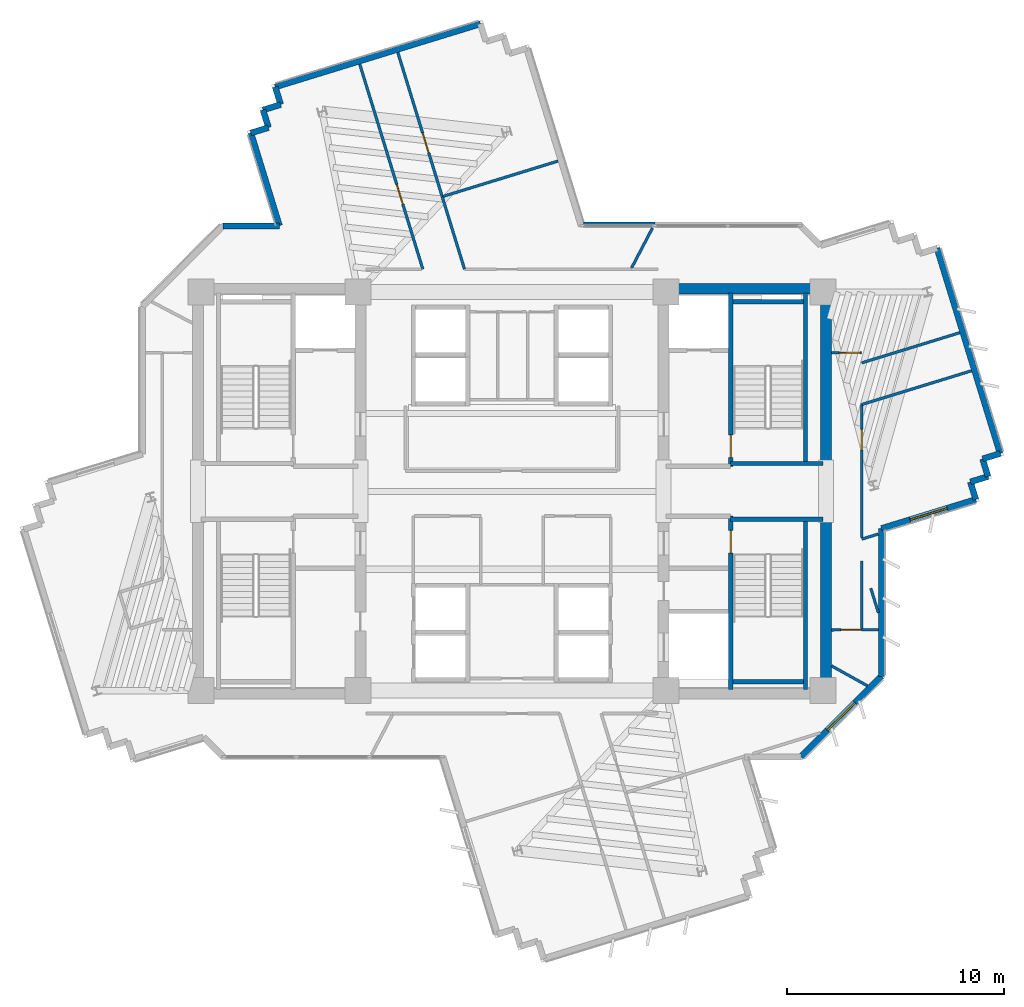
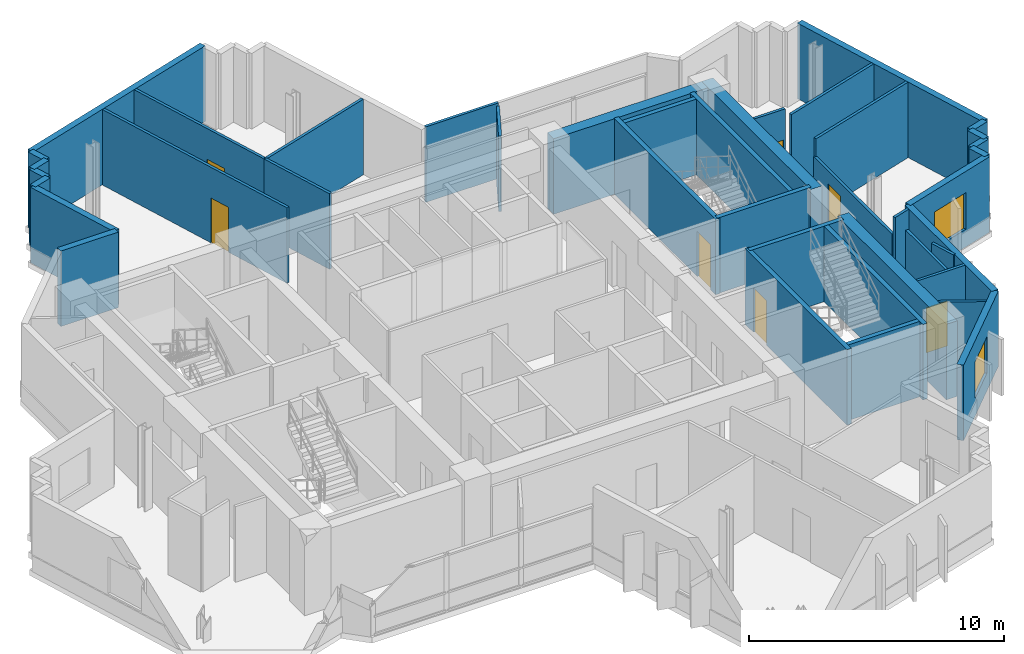
# One storey, part 8 of 13: 41 walls, 7 doors, 2 windows, 9 openings.
"""IFC4 building model written with IfcOpenShell, lengths in metres."""

from ifc_helpers import new_model, si_unit, direction, frame, frame_2d, origin, place, context, subcontext, project, spatial, rectangle, extrude, source, transform, mapped, material, layer, layer_set, type_object, element, fill, save


model = new_model("IFC4")

# Units and contexts
model_context = context("Model", 3, precision=1e-05, world=origin(), true_north=direction((0.0, 1.0)))
body_context = subcontext(model_context, "Body", "Model", "MODEL_VIEW")
ifc_project = project(units=[si_unit("LENGTHUNIT", "METRE"), si_unit("AREAUNIT", "SQUARE_METRE"), si_unit("VOLUMEUNIT", "CUBIC_METRE"), si_unit("PLANEANGLEUNIT", "RADIAN"), si_unit("MASSUNIT", "GRAM", prefix="KILO")], contexts=[model_context])

# Site, building, storey
site_placement = place(None, origin())
site = spatial("IfcSite", under=ifc_project, at=site_placement, CompositionType="ELEMENT")
building_placement = place(site_placement, origin())
building = spatial("IfcBuilding", under=site, at=building_placement, Name="Zahravan Cultural Tower", CompositionType="ELEMENT")
storey_placement = place(building_placement, frame((0.0, 0.0, 213.60009765625)))
storey = spatial("IfcBuildingStorey", under=building, at=storey_placement, Name="L50", CompositionType="ELEMENT", Elevation=213.60009765625)

# Wall, opening, window
ifc_material_1 = material(Name="Precast concrete C40/50", Category="concrete")
ifc_layer_1 = layer(ifc_material_1, 0.280029296875)
ifc_layer_set_1 = layer_set([ifc_layer_1], Name="Precast concrete C40/50")
wall_type_1 = type_object("IfcWallType", Name="EW-TC-280", PredefinedType="SOLIDWALL", material=ifc_layer_set_1)
wall_1_placement = place(storey_placement, frame((57.418212890625, 26.62109375, 0.0), z_axis=(0.0, 0.0, 1.0), x_axis=(-0.955788269664, -0.294055749089, 0.0)))
wall_1 = element("IfcWall", 1, at=wall_1_placement, inside=storey, type_object=wall_type_1, Name="L50 Exterior Masonry Frame Wall 11", PredefinedType="SOLIDWALL", context=body_context, shape_type="SweptSolid", body=[
    extrude(rectangle(XDim=4.559814453125, YDim=0.280029296875, at=frame_2d((2.27978515625, 0.0))), origin(), (0.0, 0.0, 1.0), 3.619873046875),
])
opening_1_placement = place(wall_1_placement, frame((1.3798828125, 0.0, 0.85009765625)))
opening_1 = element("IfcOpeningElement", 2, at=opening_1_placement, cuts=wall_1, Name="Opening WN-02", PredefinedType="OPENING", context=body_context, shape_type="SweptSolid", body=[
    extrude(rectangle(XDim=1.800048828125, YDim=1.75, at=frame_2d((0.89990234375, 0.875))), frame((0.0, 0.14990234375, 0.0), z_axis=(0.0, -1.0, 0.0), x_axis=(1.0, 0.0, 0.0)), (0.0, 0.0, 1.0), 0.300048828125),
])
ifc_material_2 = material(Name="Low-E solar-control double glazing", Category="glass")
window_type = type_object("IfcWindowType", Name="WN-REC-1800X1750", PartitioningType="DOUBLE_PANEL_VERTICAL", PredefinedType="WINDOW", material=ifc_material_2)
shared_shape_1 = source(origin(), body_context, "Body", "SweptSolid", [
    extrude(rectangle(XDim=1.800048828125, YDim=1.75, at=frame_2d((0.89990234375, 0.875))), frame((0.0, 0.030029296875, 0.0), z_axis=(0.0, -1.0, 0.0), x_axis=(1.0, 0.0, 0.0)), (0.0, 0.0, 1.0), 0.06005859375),
])
window_1_placement = place(opening_1_placement, origin())
window_1 = element("IfcWindow", 3, at=window_1_placement, inside=storey, type_object=window_type, Name="L50 Recessed Solar Window 02", OverallHeight=1.75, OverallWidth=1.800048828125, PartitioningType="DOUBLE_PANEL_VERTICAL", PredefinedType="WINDOW", context=body_context, shape_type="MappedRepresentation", body=[
    mapped(shared_shape_1, transform((0.0, 0.0, 0.0), x_axis=(1.0, 0.0, 0.0), y_axis=(0.0, 1.0, 0.0), z_axis=(0.0, 0.0, 1.0), scale=1.0)),
])
fill(opening_1, window_1)

wall_2_placement = place(storey_placement, frame((53.06005859375, 18.4580078125, 0.0), z_axis=(0.0, 0.0, 1.0), x_axis=(-0.707106781187, -0.707106781187, 0.0)))
wall_2 = element("IfcWall", 4, at=wall_2_placement, inside=storey, type_object=wall_type_1, Name="L50 Exterior Masonry Frame Wall 13", PredefinedType="SOLIDWALL", context=body_context, shape_type="SweptSolid", body=[
    extrude(rectangle(XDim=5.258056640625, YDim=0.280029296875, at=frame_2d((2.62890625, 0.0))), origin(), (0.0, 0.0, 1.0), 3.619873046875),
])
opening_2_placement = place(wall_2_placement, frame((1.72900390625, 0.0, 0.85009765625)))
opening_2 = element("IfcOpeningElement", 5, at=opening_2_placement, cuts=wall_2, Name="Opening WN-02", PredefinedType="OPENING", context=body_context, shape_type="SweptSolid", body=[
    extrude(rectangle(XDim=1.800048828125, YDim=1.75, at=frame_2d((0.89990234375, 0.875))), frame((0.0, 0.14990234375, 0.0), z_axis=(0.0, -1.0, 0.0), x_axis=(1.0, 0.0, 0.0)), (0.0, 0.0, 1.0), 0.300048828125),
])
window_2_placement = place(opening_2_placement, origin())
window_2 = element("IfcWindow", 6, at=window_2_placement, inside=storey, type_object=window_type, Name="L50 Recessed Solar Window 03", OverallHeight=1.75, OverallWidth=1.800048828125, PartitioningType="DOUBLE_PANEL_VERTICAL", PredefinedType="WINDOW", context=body_context, shape_type="MappedRepresentation", body=[
    mapped(shared_shape_1, transform((0.0, 0.0, 0.0), x_axis=(1.0, 0.0, 0.0), y_axis=(0.0, 1.0, 0.0), z_axis=(0.0, 0.0, 1.0), scale=1.0)),
])
fill(opening_2, window_2)

# Wall, opening, door
ifc_material_3 = material(Name="Gypsum plasterboard partition")
ifc_layer_2 = layer(ifc_material_3, 0.125)
ifc_layer_set_2 = layer_set([ifc_layer_2], Name="Gypsum plasterboard partition")
wall_type_2 = type_object("IfcWallType", Name="W-PART-125", PredefinedType="PARTITIONING", material=ifc_layer_set_2)
wall_3_placement = place(storey_placement, frame((50.7548828125, 20.60009765625, 0.0), z_axis=(0.0, 0.0, 1.0), x_axis=(0.99999875384, 0.001578708001, 0.0)))
wall_3 = element("IfcWall", 7, at=wall_3_placement, inside=storey, type_object=wall_type_2, Name="L50 Interior Wall 062", PredefinedType="PARTITIONING", context=body_context, shape_type="SweptSolid", body=[
    extrude(rectangle(XDim=2.1650390625, YDim=0.125, at=frame_2d((1.08251953125, 0.0))), origin(), (0.0, 0.0, 1.0), 3.619873046875),
])
opening_3_placement = place(wall_3_placement, frame((0.42529296875, 0.0, 0.0)))
opening_3 = element("IfcOpeningElement", 8, at=opening_3_placement, cuts=wall_3, Name="Opening D-L50-18", PredefinedType="OPENING", context=body_context, shape_type="SweptSolid", body=[
    extrude(rectangle(XDim=0.949951171875, YDim=2.14990234375, at=frame_2d((0.47509765625, 1.074951171875))), frame((0.0, 0.072509765625, 0.0), z_axis=(0.0, -1.0, 0.0), x_axis=(1.0, 0.0, 0.0)), (0.0, 0.0, 1.0), 0.14501953125),
])
ifc_material_4 = material(Name="Anodised bronze-aluminium mullion", Category="aluminium")
door_type_1 = type_object("IfcDoorType", Name="DR-ROOM-950", OperationType="NOTDEFINED", PredefinedType="DOOR", material=ifc_material_4)
shared_shape_2 = source(origin(), body_context, "Body", "SweptSolid", [
    extrude(rectangle(XDim=0.949951171875, YDim=2.14990234375, at=frame_2d((0.47509765625, 1.074951171875))), frame((0.0, 0.02490234375, 0.0), z_axis=(0.0, -1.0, 0.0), x_axis=(1.0, 0.0, 0.0)), (0.0, 0.0, 1.0), 0.050048828125),
])
door_1_placement = place(opening_3_placement, origin())
door_1 = element("IfcDoor", 9, at=door_1_placement, inside=storey, type_object=door_type_1, Name="L50 Door D-L50-18", OperationType="SINGLE_SWING_LEFT", OverallHeight=2.14990234375, OverallWidth=0.949951171875, PredefinedType="DOOR", context=body_context, shape_type="MappedRepresentation", body=[
    mapped(shared_shape_2, transform((0.0, 0.0, 0.0), x_axis=(1.0, 0.0, 0.0), y_axis=(0.0, 1.0, 0.0), z_axis=(0.0, 0.0, 1.0), scale=1.0)),
])
fill(opening_3, door_1)

wall_4_placement = place(storey_placement, frame((52.14990234375, 24.86181640625, 0.0), z_axis=(0.0, 0.0, 1.0), x_axis=(0.0, 1.0, 0.0)))
wall_4 = element("IfcWall", 10, at=wall_4_placement, inside=storey, type_object=wall_type_2, Name="L50 Interior Wall 092", PredefinedType="PARTITIONING", context=body_context, shape_type="SweptSolid", body=[
    extrude(rectangle(XDim=6.14404296875, YDim=0.125, at=frame_2d((3.072021484375, 0.0))), origin(), (0.0, 0.0, 1.0), 2.765869140625),
])
opening_4_placement = place(wall_4_placement, frame((4.051513671875, 0.0, 0.0)))
opening_4 = element("IfcOpeningElement", 11, at=opening_4_placement, cuts=wall_4, Name="Opening D-L50-19", PredefinedType="OPENING", context=body_context, shape_type="SweptSolid", body=[
    extrude(rectangle(XDim=0.949951171875, YDim=2.14990234375, at=frame_2d((0.47509765625, 1.074951171875))), frame((0.0, 0.072509765625, 0.0), z_axis=(0.0, -1.0, 0.0), x_axis=(1.0, 0.0, 0.0)), (0.0, 0.0, 1.0), 0.14501953125),
])
door_2_placement = place(opening_4_placement, origin())
door_2 = element("IfcDoor", 12, at=door_2_placement, inside=storey, type_object=door_type_1, Name="L50 Door D-L50-19", OperationType="SINGLE_SWING_RIGHT", OverallHeight=2.14990234375, OverallWidth=0.949951171875, PredefinedType="DOOR", context=body_context, shape_type="MappedRepresentation", body=[
    mapped(shared_shape_2, transform((0.0, 0.0, 0.0), x_axis=(1.0, 0.0, 0.0), y_axis=(0.0, 1.0, 0.0), z_axis=(0.0, 0.0, 1.0), scale=1.0)),
])
fill(opening_4, door_2)

wall_5_placement = place(storey_placement, frame((32.771484375, 40.622802734375, 0.0), z_axis=(0.0, 0.0, 1.0), x_axis=(-0.294016682873, 0.955800287818, 0.0)))
wall_5 = element("IfcWall", 13, at=wall_5_placement, inside=storey, type_object=wall_type_2, Name="L50 Interior Wall 094", PredefinedType="PARTITIONING", context=body_context, shape_type="SweptSolid", body=[
    extrude(rectangle(XDim=6.945068359375, YDim=0.125, at=frame_2d((3.47265625, 0.0))), origin(), (0.0, 0.0, 1.0), 3.619873046875),
])
opening_5_placement = place(wall_5_placement, frame((2.098388671875, 0.0, 0.0)))
opening_5 = element("IfcOpeningElement", 14, at=opening_5_placement, cuts=wall_5, Name="Opening D-L50-22", PredefinedType="OPENING", context=body_context, shape_type="SweptSolid", body=[
    extrude(rectangle(XDim=0.949951171875, YDim=2.14990234375, at=frame_2d((0.47509765625, 1.074951171875))), frame((0.0, 0.072509765625, 0.0), z_axis=(0.0, -1.0, 0.0), x_axis=(1.0, 0.0, 0.0)), (0.0, 0.0, 1.0), 0.14501953125),
])
door_3_placement = place(opening_5_placement, origin())
door_3 = element("IfcDoor", 15, at=door_3_placement, inside=storey, type_object=door_type_1, Name="L50 Door D-L50-22", OperationType="SINGLE_SWING_LEFT", OverallHeight=2.14990234375, OverallWidth=0.949951171875, PredefinedType="DOOR", context=body_context, shape_type="MappedRepresentation", body=[
    mapped(shared_shape_2, transform((0.0, 0.0, 0.0), x_axis=(1.0, 0.0, 0.0), y_axis=(0.0, 1.0, 0.0), z_axis=(0.0, 0.0, 1.0), scale=1.0)),
])
fill(opening_5, door_3)

wall_6_placement = place(storey_placement, frame((52.14892578125, 33.39892578125, 0.0), z_axis=(0.0, 0.0, 1.0), x_axis=(-0.999999754632, 0.000700525222, 0.0)))
wall_6 = element("IfcWall", 16, at=wall_6_placement, inside=storey, type_object=wall_type_2, Name="L50 Interior Wall 099", PredefinedType="PARTITIONING", context=body_context, shape_type="SweptSolid", body=[
    extrude(rectangle(XDim=1.39404296875, YDim=0.125, at=frame_2d((0.697021484375, 0.0))), origin(), (0.0, 0.0, 1.0), 3.619873046875),
])
opening_6_placement = place(wall_6_placement, frame((0.083740234375, 0.0, 0.0)))
opening_6 = element("IfcOpeningElement", 17, at=opening_6_placement, cuts=wall_6, Name="Opening D-L50-20", PredefinedType="OPENING", context=body_context, shape_type="SweptSolid", body=[
    extrude(rectangle(XDim=0.949951171875, YDim=2.14990234375, at=frame_2d((0.47509765625, 1.074951171875))), frame((0.0, 0.072509765625, 0.0), z_axis=(0.0, -1.0, 0.0), x_axis=(1.0, 0.0, 0.0)), (0.0, 0.0, 1.0), 0.14501953125),
])
door_4_placement = place(opening_6_placement, origin())
door_4 = element("IfcDoor", 18, at=door_4_placement, inside=storey, type_object=door_type_1, Name="L50 Door D-L50-20", OperationType="SINGLE_SWING_LEFT", OverallHeight=2.14990234375, OverallWidth=0.949951171875, PredefinedType="DOOR", context=body_context, shape_type="MappedRepresentation", body=[
    mapped(shared_shape_2, transform((0.0, 0.0, 0.0), x_axis=(1.0, 0.0, 0.0), y_axis=(0.0, 1.0, 0.0), z_axis=(0.0, 0.0, 1.0), scale=1.0)),
])
fill(opening_6, door_4)

wall_7_placement = place(storey_placement, frame((28.970703125, 46.719970703125, 0.0), z_axis=(0.0, 0.0, 1.0), x_axis=(0.294052915152, -0.955789141542, 0.0)))
wall_7 = element("IfcWall", 19, at=wall_7_placement, inside=storey, type_object=wall_type_2, Name="L50 Interior Wall 100", PredefinedType="PARTITIONING", context=body_context, shape_type="SweptSolid", body=[
    extrude(rectangle(XDim=9.8974609375, YDim=0.125, at=frame_2d((4.94873046875, 0.0))), origin(), (0.0, 0.0, 1.0), 3.619873046875),
])
opening_7_placement = place(wall_7_placement, frame((5.81591796875, 0.0, 0.0)))
opening_7 = element("IfcOpeningElement", 20, at=opening_7_placement, cuts=wall_7, Name="Opening D-L50-23", PredefinedType="OPENING", context=body_context, shape_type="SweptSolid", body=[
    extrude(rectangle(XDim=0.949951171875, YDim=2.14990234375, at=frame_2d((0.47509765625, 1.074951171875))), frame((0.0, 0.072509765625, 0.0), z_axis=(0.0, -1.0, 0.0), x_axis=(1.0, 0.0, 0.0)), (0.0, 0.0, 1.0), 0.14501953125),
])
door_5_placement = place(opening_7_placement, origin())
door_5 = element("IfcDoor", 21, at=door_5_placement, inside=storey, type_object=door_type_1, Name="L50 Door D-L50-23", OperationType="SINGLE_SWING_RIGHT", OverallHeight=2.14990234375, OverallWidth=0.949951171875, PredefinedType="DOOR", context=body_context, shape_type="MappedRepresentation", body=[
    mapped(shared_shape_2, transform((0.0, 0.0, 0.0), x_axis=(1.0, 0.0, 0.0), y_axis=(0.0, 1.0, 0.0), z_axis=(0.0, 0.0, 1.0), scale=1.0)),
])
fill(opening_7, door_5)

ifc_material_5 = material(Name="Concrete C45/55", Category="concrete")
ifc_layer_3 = layer(ifc_material_5, 0.199951171875)
ifc_layer_set_3 = layer_set([ifc_layer_3], Name="Concrete C45/55")
wall_type_3 = type_object("IfcWallType", Name="W-SHAFT-200", PredefinedType="SOLIDWALL", material=ifc_layer_set_3)
wall_8_placement = place(storey_placement, frame((46.10009765625, 17.85009765625, 0.0), z_axis=(0.0, 0.0, 1.0), x_axis=(0.0, 1.0, 0.0)))
wall_8 = element("IfcWall", 22, at=wall_8_placement, inside=storey, type_object=wall_type_3, Name="L50 Interior Wall 007", PredefinedType="SOLIDWALL", context=body_context, shape_type="SweptSolid", body=[
    extrude(rectangle(XDim=8.0, YDim=0.199951171875, at=frame_2d((4.0, 0.0))), origin(), (0.0, 0.0, 1.0), 3.619873046875),
])
opening_8_placement = place(wall_8_placement, frame((6.300048828125, 0.0, 0.0)))
opening_8 = element("IfcOpeningElement", 23, at=opening_8_placement, cuts=wall_8, Name="Opening D-L50-03", PredefinedType="OPENING", context=body_context, shape_type="SweptSolid", body=[
    extrude(rectangle(XDim=1.050048828125, YDim=2.14990234375, at=frame_2d((0.52490234375, 1.074951171875))), frame((0.0, 0.10986328125, 0.0), z_axis=(0.0, -1.0, 0.0), x_axis=(1.0, 0.0, 0.0)), (0.0, 0.0, 1.0), 0.219970703125),
])
ifc_material_6 = material(Name="Steel ASTM A572 Grade 50", Category="steel")
door_type_2 = type_object("IfcDoorType", Name="DR-STAIR-1050", OperationType="NOTDEFINED", PredefinedType="DOOR", material=ifc_material_6)
shared_shape_3 = source(origin(), body_context, "Body", "SweptSolid", [
    extrude(rectangle(XDim=1.050048828125, YDim=2.14990234375, at=frame_2d((0.52490234375, 1.074951171875))), frame((0.0, 0.02490234375, 0.0), z_axis=(0.0, -1.0, 0.0), x_axis=(1.0, 0.0, 0.0)), (0.0, 0.0, 1.0), 0.050048828125),
])
door_6_placement = place(opening_8_placement, origin())
door_6 = element("IfcDoor", 24, at=door_6_placement, inside=storey, type_object=door_type_2, Name="L50 Door D-L50-03", OperationType="SINGLE_SWING_RIGHT", OverallHeight=2.14990234375, OverallWidth=1.050048828125, PredefinedType="DOOR", context=body_context, shape_type="MappedRepresentation", body=[
    mapped(shared_shape_3, transform((0.0, 0.0, 0.0), x_axis=(1.0, 0.0, 0.0), y_axis=(0.0, 1.0, 0.0), z_axis=(0.0, 0.0, 1.0), scale=1.0)),
])
fill(opening_8, door_6)

wall_9_placement = place(storey_placement, frame((46.10009765625, 28.14990234375, 0.0), z_axis=(0.0, 0.0, 1.0), x_axis=(0.0, 1.0, 0.0)))
wall_9 = element("IfcWall", 25, at=wall_9_placement, inside=storey, type_object=wall_type_3, Name="L50 Interior Wall 008", PredefinedType="SOLIDWALL", context=body_context, shape_type="SweptSolid", body=[
    extrude(rectangle(XDim=8.0, YDim=0.199951171875, at=frame_2d((4.0, 0.0))), origin(), (0.0, 0.0, 1.0), 3.619873046875),
])
opening_9_placement = place(wall_9_placement, frame((0.39990234375, 0.0, 0.0)))
opening_9 = element("IfcOpeningElement", 26, at=opening_9_placement, cuts=wall_9, Name="Opening D-L50-02", PredefinedType="OPENING", context=body_context, shape_type="SweptSolid", body=[
    extrude(rectangle(XDim=1.050048828125, YDim=2.14990234375, at=frame_2d((0.52490234375, 1.074951171875))), frame((0.0, 0.10986328125, 0.0), z_axis=(0.0, -1.0, 0.0), x_axis=(1.0, 0.0, 0.0)), (0.0, 0.0, 1.0), 0.219970703125),
])
door_7_placement = place(opening_9_placement, origin())
door_7 = element("IfcDoor", 27, at=door_7_placement, inside=storey, type_object=door_type_2, Name="L50 Door D-L50-02", OperationType="SINGLE_SWING_LEFT", OverallHeight=2.14990234375, OverallWidth=1.050048828125, PredefinedType="DOOR", context=body_context, shape_type="MappedRepresentation", body=[
    mapped(shared_shape_3, transform((0.0, 0.0, 0.0), x_axis=(1.0, 0.0, 0.0), y_axis=(0.0, 1.0, 0.0), z_axis=(0.0, 0.0, 1.0), scale=1.0)),
])
fill(opening_9, door_7)

# Walls
ifc_material_7 = material(Name="Concrete C60/75", Category="concrete")
ifc_layer_4 = layer(ifc_material_7, 0.5)
ifc_layer_set_4 = layer_set([ifc_layer_4], Name="Concrete C60/75")
wall_type_4 = type_object("IfcWallType", Name="CW-SHEAR-500-C60", PredefinedType="SHEAR", material=ifc_layer_set_4)
shared_shape_4 = source(origin(), body_context, "Body", "SweptSolid", [
    extrude(rectangle(XDim=8.550048828125, YDim=0.5, at=frame_2d((4.27490234375, 0.0))), origin(), (0.0, 0.0, 1.0), 3.619873046875),
])
for number, where, z_axis, x_axis, name in (
    (28, (50.5, 17.39990234375, 0.0), (0.0, 0.0, 1.0), (0.0, 1.0, 0.0), "L50 Core Shear Wall CW-E-ES-L50"),
    (29, (50.5, 28.050048828125, 0.0), (0.0, 0.0, 1.0), (0.0, 1.0, 0.0), "L50 Core Shear Wall CW-E-EN-L50"),
):
    element("IfcWall", number, at=place(storey_placement, frame(where, z_axis=z_axis, x_axis=x_axis)), inside=storey, type_object=wall_type_4, Name=name, PredefinedType="SHEAR", context=body_context, shape_type="MappedRepresentation", body=[
        mapped(shared_shape_4, transform((0.0, 0.0, 0.0), x_axis=(1.0, 0.0, 0.0), y_axis=(0.0, 1.0, 0.0), z_axis=(0.0, 0.0, 1.0), scale=1.0)),
    ])
shared_shape_5 = source(origin(), body_context, "Body", "SweptSolid", [
    extrude(rectangle(XDim=7.0, YDim=0.5, at=frame_2d((3.5, 0.0))), origin(), (0.0, 0.0, 1.0), 3.619873046875),
])
wall_10_placement = place(storey_placement, frame((43.25, 36.35009765625, 0.0), z_axis=(0.0, 0.0, 1.0), x_axis=(1.0, 0.0, 0.0)))
element("IfcWall", 30, at=wall_10_placement, inside=storey, type_object=wall_type_4, Name="L50 Core Shear Wall CW-E-N-L50", PredefinedType="SHEAR", context=body_context, shape_type="MappedRepresentation", body=[
    mapped(shared_shape_5, transform((0.0, 0.0, 0.0), x_axis=(1.0, 0.0, 0.0), y_axis=(0.0, 1.0, 0.0), z_axis=(0.0, 0.0, 1.0), scale=1.0)),
])
shared_shape_6 = source(origin(), body_context, "Body", "SweptSolid", [
    extrude(rectangle(XDim=0.85009765625, YDim=0.280029296875, at=frame_2d((0.425048828125, 0.0))), origin(), (0.0, 0.0, 1.0), 3.619873046875),
])
for number, where, z_axis, x_axis, name in (
    (31, (58.543212890625, 28.745849609375, 0.0), (0.0, 0.0, 1.0), (-0.955779008722, -0.294085848838, 0.0), "L50 Exterior Masonry Frame Wall 07"),
    (32, (57.980712890625, 27.68359375, 0.0), (0.0, 0.0, 1.0), (-0.955779008722, -0.294085848838, 0.0), "L50 Exterior Masonry Frame Wall 09"),
    (33, (57.168212890625, 27.43359375, 0.0), (0.0, 0.0, 1.0), (0.294085848838, -0.955779008722, 0.0), "L50 Exterior Masonry Frame Wall 10"),
    (34, (24.754150390625, 43.795654296875, 0.0), (0.0, 0.0, 1.0), (-0.293823460726, 0.955859704102, 0.0), "L50 Exterior Masonry Frame Wall 43"),
    (35, (25.316650390625, 44.858154296875, 0.0), (0.0, 0.0, 1.0), (-0.293823460726, 0.955859704102, 0.0), "L50 Exterior Masonry Frame Wall 45"),
):
    element("IfcWall", number, at=place(storey_placement, frame(where, z_axis=z_axis, x_axis=x_axis)), inside=storey, type_object=wall_type_1, Name=name, PredefinedType="SOLIDWALL", context=body_context, shape_type="MappedRepresentation", body=[
        mapped(shared_shape_6, transform((0.0, 0.0, 0.0), x_axis=(1.0, 0.0, 0.0), y_axis=(0.0, 1.0, 0.0), z_axis=(0.0, 0.0, 1.0), scale=1.0)),
    ])
shared_shape_7 = source(origin(), body_context, "Body", "SweptSolid", [
    extrude(rectangle(XDim=0.849853515625, YDim=0.280029296875, at=frame_2d((0.4248046875, 0.0))), origin(), (0.0, 0.0, 1.0), 3.619873046875),
])
for number, where, z_axis, x_axis, name in (
    (36, (57.730712890625, 28.495849609375, 0.0), (0.0, 0.0, 1.0), (0.294166594531, -0.95575416016, 0.0), "L50 Exterior Masonry Frame Wall 08"),
    (37, (23.94189453125, 43.5458984375, 0.0), (0.0, 0.0, 1.0), (0.955834897765, 0.293904148005, 0.0), "L50 Exterior Masonry Frame Wall 42"),
    (38, (24.50439453125, 44.608154296875, 0.0), (0.0, 0.0, 1.0), (0.95575416016, 0.294166594531, 0.0), "L50 Exterior Masonry Frame Wall 44"),
):
    element("IfcWall", number, at=place(storey_placement, frame(where, z_axis=z_axis, x_axis=x_axis)), inside=storey, type_object=wall_type_1, Name=name, PredefinedType="SOLIDWALL", context=body_context, shape_type="MappedRepresentation", body=[
        mapped(shared_shape_7, transform((0.0, 0.0, 0.0), x_axis=(1.0, 0.0, 0.0), y_axis=(0.0, 1.0, 0.0), z_axis=(0.0, 0.0, 1.0), scale=1.0)),
    ])
shared_shape_8 = source(origin(), body_context, "Body", "SweptSolid", [
    extrude(rectangle(XDim=9.919921875, YDim=0.280029296875, at=frame_2d((4.9599609375, 0.0))), origin(), (0.0, 0.0, 1.0), 3.619873046875),
])
for number, where, z_axis, x_axis, name in (
    (39, (55.62646484375, 38.227294921875, 0.0), (0.0, 0.0, 1.0), (0.294028777175, -0.955796567368, 0.0), "L50 Exterior Masonry Frame Wall 06"),
    (40, (25.06689453125, 45.670654296875, 0.0), (0.0, 0.0, 1.0), (0.955796567368, 0.294028777175, 0.0), "L50 Exterior Masonry Frame Wall 46"),
):
    element("IfcWall", number, at=place(storey_placement, frame(where, z_axis=z_axis, x_axis=x_axis)), inside=storey, type_object=wall_type_1, Name=name, PredefinedType="SOLIDWALL", context=body_context, shape_type="MappedRepresentation", body=[
        mapped(shared_shape_8, transform((0.0, 0.0, 0.0), x_axis=(1.0, 0.0, 0.0), y_axis=(0.0, 1.0, 0.0), z_axis=(0.0, 0.0, 1.0), scale=1.0)),
    ])
shared_shape_9 = source(origin(), body_context, "Body", "SweptSolid", [
    extrude(rectangle(XDim=6.822265625, YDim=0.280029296875, at=frame_2d((3.4111328125, 0.0))), origin(), (0.0, 0.0, 1.0), 3.619873046875),
])
wall_11_placement = place(storey_placement, frame((53.06005859375, 25.2802734375, 0.0), z_axis=(0.0, 0.0, 1.0), x_axis=(0.0, -1.0, 0.0)))
element("IfcWall", 41, at=wall_11_placement, inside=storey, type_object=wall_type_1, Name="L50 Exterior Masonry Frame Wall 12", PredefinedType="SOLIDWALL", context=body_context, shape_type="MappedRepresentation", body=[
    mapped(shared_shape_9, transform((0.0, 0.0, 0.0), x_axis=(1.0, 0.0, 0.0), y_axis=(0.0, 1.0, 0.0), z_axis=(0.0, 0.0, 1.0), scale=1.0)),
])
shared_shape_10 = source(origin(), body_context, "Body", "SweptSolid", [
    extrude(rectangle(XDim=2.602294921875, YDim=0.280029296875, at=frame_2d((1.30126953125, 0.0))), origin(), (0.0, 0.0, 1.0), 3.619873046875),
])
wall_12_placement = place(storey_placement, frame((22.657958984375, 39.260009765625, 0.0), z_axis=(0.0, 0.0, 1.0), x_axis=(1.0, 0.0, 0.0)))
element("IfcWall", 42, at=wall_12_placement, inside=storey, type_object=wall_type_1, Name="L50 Exterior Masonry Frame Wall 40", PredefinedType="SOLIDWALL", context=body_context, shape_type="MappedRepresentation", body=[
    mapped(shared_shape_10, transform((0.0, 0.0, 0.0), x_axis=(1.0, 0.0, 0.0), y_axis=(0.0, 1.0, 0.0), z_axis=(0.0, 0.0, 1.0), scale=1.0)),
])
shared_shape_11 = source(origin(), body_context, "Body", "SweptSolid", [
    extrude(rectangle(XDim=4.484130859375, YDim=0.280029296875, at=frame_2d((2.2421875, 0.0))), origin(), (0.0, 0.0, 1.0), 3.619873046875),
])
wall_13_placement = place(storey_placement, frame((25.26025390625, 39.260009765625, 0.0), z_axis=(0.0, 0.0, 1.0), x_axis=(-0.294009328951, 0.95580254995, 0.0)))
element("IfcWall", 43, at=wall_13_placement, inside=storey, type_object=wall_type_1, Name="L50 Exterior Masonry Frame Wall 41", PredefinedType="SOLIDWALL", context=body_context, shape_type="MappedRepresentation", body=[
    mapped(shared_shape_11, transform((0.0, 0.0, 0.0), x_axis=(1.0, 0.0, 0.0), y_axis=(0.0, 1.0, 0.0), z_axis=(0.0, 0.0, 1.0), scale=1.0)),
])
shared_shape_12 = source(origin(), body_context, "Body", "SweptSolid", [
    extrude(rectangle(XDim=7.869873046875, YDim=0.199951171875, at=frame_2d((3.93505859375, 0.0))), origin(), (0.0, 0.0, 1.0), 3.619873046875),
])
for number, where, z_axis, x_axis, name in (
    (44, (49.550048828125, 17.85009765625, 0.0), (0.0, 0.0, 1.0), (0.0, 1.0, 0.0), "L50 Interior Wall 003"),
    (45, (49.550048828125, 28.280029296875, 0.0), (0.0, 0.0, 1.0), (0.0, 1.0, 0.0), "L50 Interior Wall 004"),
):
    element("IfcWall", number, at=place(storey_placement, frame(where, z_axis=z_axis, x_axis=x_axis)), inside=storey, type_object=wall_type_3, Name=name, PredefinedType="SOLIDWALL", context=body_context, shape_type="MappedRepresentation", body=[
        mapped(shared_shape_12, transform((0.0, 0.0, 0.0), x_axis=(1.0, 0.0, 0.0), y_axis=(0.0, 1.0, 0.0), z_axis=(0.0, 0.0, 1.0), scale=1.0)),
    ])
shared_shape_13 = source(origin(), body_context, "Body", "SweptSolid", [
    extrude(rectangle(XDim=4.25, YDim=0.199951171875, at=frame_2d((2.125, 0.0))), origin(), (0.0, 0.0, 1.0), 3.619873046875),
])
for number, where, z_axis, x_axis, name in (
    (46, (46.10009765625, 25.715087890625, 0.0), (0.0, 0.0, 1.0), (1.0, 0.0, 0.0), "L50 Interior Wall 014"),
    (47, (46.10009765625, 28.284912109375, 0.0), (0.0, 0.0, 1.0), (1.0, 0.0, 0.0), "L50 Interior Wall 016"),
):
    element("IfcWall", number, at=place(storey_placement, frame(where, z_axis=z_axis, x_axis=x_axis)), inside=storey, type_object=wall_type_3, Name=name, PredefinedType="SOLIDWALL", context=body_context, shape_type="MappedRepresentation", body=[
        mapped(shared_shape_13, transform((0.0, 0.0, 0.0), x_axis=(1.0, 0.0, 0.0), y_axis=(0.0, 1.0, 0.0), z_axis=(0.0, 0.0, 1.0), scale=1.0)),
    ])
shared_shape_14 = source(origin(), body_context, "Body", "SweptSolid", [
    extrude(rectangle(XDim=3.25, YDim=0.199951171875, at=frame_2d((1.625, 0.0))), origin(), (0.0, 0.0, 1.0), 3.619873046875),
])
for number, where, z_axis, x_axis, name in (
    (48, (46.199951171875, 35.75, 0.0), (0.0, 0.0, 1.0), (1.0, 0.0, 0.0), "L50 Interior Wall 018"),
    (49, (46.199951171875, 18.199951171875, 0.0), (0.0, 0.0, 1.0), (1.0, 0.0, 0.0), "L50 Interior Wall 020"),
):
    element("IfcWall", number, at=place(storey_placement, frame(where, z_axis=z_axis, x_axis=x_axis)), inside=storey, type_object=wall_type_3, Name=name, PredefinedType="SOLIDWALL", context=body_context, shape_type="MappedRepresentation", body=[
        mapped(shared_shape_14, transform((0.0, 0.0, 0.0), x_axis=(1.0, 0.0, 0.0), y_axis=(0.0, 1.0, 0.0), z_axis=(0.0, 0.0, 1.0), scale=1.0)),
    ])
shared_shape_15 = source(origin(), body_context, "Body", "SweptSolid", [
    extrude(rectangle(XDim=3.10986328125, YDim=0.125, at=frame_2d((1.554931640625, 0.0))), origin(), (0.0, 0.0, 1.0), 3.619873046875),
])
wall_14_placement = place(storey_placement, frame((52.148681640625, 20.669921875, 0.0), z_axis=(0.0, 0.0, 1.0), x_axis=(0.000392526269, 0.999999922962, 0.0)))
element("IfcWall", 50, at=wall_14_placement, inside=storey, type_object=wall_type_2, Name="L50 Interior Wall 063", PredefinedType="PARTITIONING", context=body_context, shape_type="MappedRepresentation", body=[
    mapped(shared_shape_15, transform((0.0, 0.0, 0.0), x_axis=(1.0, 0.0, 0.0), y_axis=(0.0, 1.0, 0.0), z_axis=(0.0, 0.0, 1.0), scale=1.0)),
])
shared_shape_16 = source(origin(), body_context, "Body", "SweptSolid", [
    extrude(rectangle(XDim=1.18017578125, YDim=0.125, at=frame_2d((0.590087890625, 0.0))), origin(), (0.0, 0.0, 1.0), 3.619873046875),
])
wall_15_placement = place(storey_placement, frame((52.569580078125, 22.52099609375, 0.0), z_axis=(0.0, 0.0, 1.0), x_axis=(0.293984081944, -0.955810315682, 0.0)))
element("IfcWall", 51, at=wall_15_placement, inside=storey, type_object=wall_type_2, Name="L50 Interior Wall 064", PredefinedType="PARTITIONING", context=body_context, shape_type="MappedRepresentation", body=[
    mapped(shared_shape_16, transform((0.0, 0.0, 0.0), x_axis=(1.0, 0.0, 0.0), y_axis=(0.0, 1.0, 0.0), z_axis=(0.0, 0.0, 1.0), scale=1.0)),
])
shared_shape_17 = source(origin(), body_context, "Body", "SweptSolid", [
    extrude(rectangle(XDim=1.898193359375, YDim=0.125, at=frame_2d((0.94921875, 0.0))), origin(), (0.0, 0.0, 1.0), 3.619873046875),
])
wall_16_placement = place(storey_placement, frame((52.41357421875, 18.0166015625, 0.0), z_axis=(0.0, 0.0, 1.0), x_axis=(-0.873799105313, 0.486287079362, 0.0)))
element("IfcWall", 52, at=wall_16_placement, inside=storey, type_object=wall_type_2, Name="L50 Interior Wall 065", PredefinedType="PARTITIONING", context=body_context, shape_type="MappedRepresentation", body=[
    mapped(shared_shape_17, transform((0.0, 0.0, 0.0), x_axis=(1.0, 0.0, 0.0), y_axis=(0.0, 1.0, 0.0), z_axis=(0.0, 0.0, 1.0), scale=1.0)),
])
shared_shape_18 = source(origin(), body_context, "Body", "SweptSolid", [
    extrude(rectangle(XDim=3.498291015625, YDim=0.125, at=frame_2d((1.7490234375, 0.0))), origin(), (0.0, 0.0, 1.0), 3.619873046875),
])
wall_17_placement = place(storey_placement, frame((33.80615234375, 37.260009765625, 0.0), z_axis=(0.0, 0.0, 1.0), x_axis=(-0.294012288782, 0.955801639487, 0.0)))
element("IfcWall", 53, at=wall_17_placement, inside=storey, type_object=wall_type_2, Name="L50 Interior Wall 079", PredefinedType="PARTITIONING", context=body_context, shape_type="MappedRepresentation", body=[
    mapped(shared_shape_18, transform((0.0, 0.0, 0.0), x_axis=(1.0, 0.0, 0.0), y_axis=(0.0, 1.0, 0.0), z_axis=(0.0, 0.0, 1.0), scale=1.0)),
])
shared_shape_19 = source(origin(), body_context, "Body", "SweptSolid", [
    extrude(rectangle(XDim=5.594970703125, YDim=0.125, at=frame_2d((2.79736328125, 0.0))), origin(), (0.0, 0.0, 1.0), 3.619873046875),
])
wall_18_placement = place(storey_placement, frame((32.777587890625, 40.603759765625, 0.0), z_axis=(0.0, 0.0, 1.0), x_axis=(0.955787499516, 0.294058252339, 0.0)))
element("IfcWall", 54, at=wall_18_placement, inside=storey, type_object=wall_type_2, Name="L50 Interior Wall 080", PredefinedType="PARTITIONING", context=body_context, shape_type="MappedRepresentation", body=[
    mapped(shared_shape_19, transform((0.0, 0.0, 0.0), x_axis=(1.0, 0.0, 0.0), y_axis=(0.0, 1.0, 0.0), z_axis=(0.0, 0.0, 1.0), scale=1.0)),
])
shared_shape_20 = source(origin(), body_context, "Body", "SweptSolid", [
    extrude(rectangle(XDim=3.29150390625, YDim=0.125, at=frame_2d((1.645751953125, 0.0))), origin(), (0.0, 0.0, 1.0), 3.619873046875),
])
wall_19_placement = place(storey_placement, frame((39.311279296875, 39.3798828125, 0.0), z_axis=(0.0, 0.0, 1.0), x_axis=(1.0, 0.0, 0.0)))
element("IfcWall", 55, at=wall_19_placement, inside=storey, type_object=wall_type_2, Name="L50 Interior Wall 081", PredefinedType="PARTITIONING", context=body_context, shape_type="MappedRepresentation", body=[
    mapped(shared_shape_20, transform((0.0, 0.0, 0.0), x_axis=(1.0, 0.0, 0.0), y_axis=(0.0, 1.0, 0.0), z_axis=(0.0, 0.0, 1.0), scale=1.0)),
])
shared_shape_21 = source(origin(), body_context, "Body", "SweptSolid", [
    extrude(rectangle(XDim=2.0693359375, YDim=0.125, at=frame_2d((1.03466796875, 0.0))), origin(), (0.0, 0.0, 1.0), 3.619873046875),
])
wall_20_placement = place(storey_placement, frame((42.485107421875, 39.155029296875, 0.0), z_axis=(0.0, 0.0, 1.0), x_axis=(-0.46379536588, -0.885942356244, 0.0)))
element("IfcWall", 56, at=wall_20_placement, inside=storey, type_object=wall_type_2, Name="L50 Interior Wall 082", PredefinedType="PARTITIONING", context=body_context, shape_type="MappedRepresentation", body=[
    mapped(shared_shape_21, transform((0.0, 0.0, 0.0), x_axis=(1.0, 0.0, 0.0), y_axis=(0.0, 1.0, 0.0), z_axis=(0.0, 0.0, 1.0), scale=1.0)),
])
shared_shape_22 = source(origin(), body_context, "Body", "SweptSolid", [
    extrude(rectangle(XDim=0.800537109375, YDim=0.125, at=frame_2d((0.400390625, 0.0))), origin(), (0.0, 0.0, 1.0), 3.619873046875),
])
wall_21_placement = place(storey_placement, frame((52.9150390625, 25.0263671875, 0.0), z_axis=(0.0, 0.0, 1.0), x_axis=(-0.955805381473, -0.29400012372, 0.0)))
element("IfcWall", 57, at=wall_21_placement, inside=storey, type_object=wall_type_2, Name="L50 Interior Wall 091", PredefinedType="PARTITIONING", context=body_context, shape_type="MappedRepresentation", body=[
    mapped(shared_shape_22, transform((0.0, 0.0, 0.0), x_axis=(1.0, 0.0, 0.0), y_axis=(0.0, 1.0, 0.0), z_axis=(0.0, 0.0, 1.0), scale=1.0)),
])
shared_shape_23 = source(origin(), body_context, "Body", "SweptSolid", [
    extrude(rectangle(XDim=5.30126953125, YDim=0.125, at=frame_2d((2.650634765625, 0.0))), origin(), (0.0, 0.0, 1.0), 3.619873046875),
])
wall_22_placement = place(storey_placement, frame((52.14990234375, 31.005859375, 0.0), z_axis=(0.0, 0.0, 1.0), x_axis=(0.955789961274, 0.294050250686, 0.0)))
element("IfcWall", 58, at=wall_22_placement, inside=storey, type_object=wall_type_2, Name="L50 Interior Wall 093", PredefinedType="PARTITIONING", context=body_context, shape_type="MappedRepresentation", body=[
    mapped(shared_shape_23, transform((0.0, 0.0, 0.0), x_axis=(1.0, 0.0, 0.0), y_axis=(0.0, 1.0, 0.0), z_axis=(0.0, 0.0, 1.0), scale=1.0)),
])
shared_shape_24 = source(origin(), body_context, "Body", "SweptSolid", [
    extrude(rectangle(XDim=4.735107421875, YDim=0.125, at=frame_2d((2.36767578125, 0.0))), origin(), (0.0, 0.0, 1.0), 3.619873046875),
])
wall_23_placement = place(storey_placement, frame((56.67578125, 34.3232421875, 0.0), z_axis=(0.0, 0.0, 1.0), x_axis=(-0.955793499711, -0.294038748994, 0.0)))
element("IfcWall", 59, at=wall_23_placement, inside=storey, type_object=wall_type_2, Name="L50 Interior Wall 098", PredefinedType="PARTITIONING", context=body_context, shape_type="MappedRepresentation", body=[
    mapped(shared_shape_24, transform((0.0, 0.0, 0.0), x_axis=(1.0, 0.0, 0.0), y_axis=(0.0, 1.0, 0.0), z_axis=(0.0, 0.0, 1.0), scale=1.0)),
])

save(model, "model.ifc")
